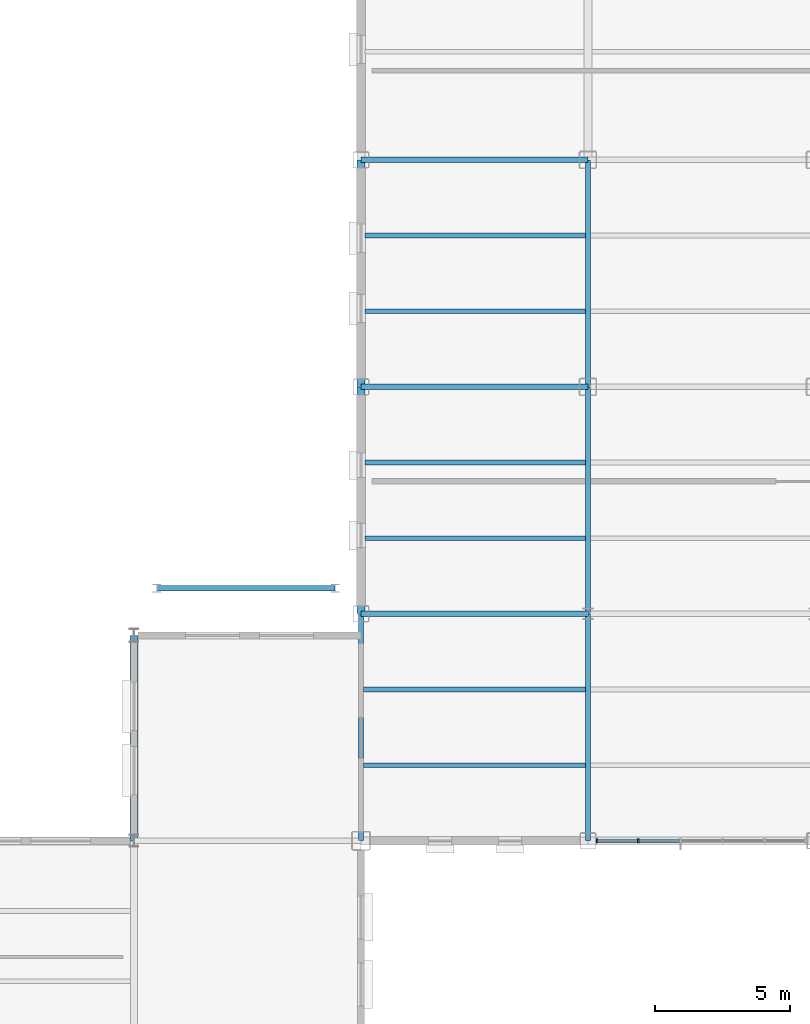
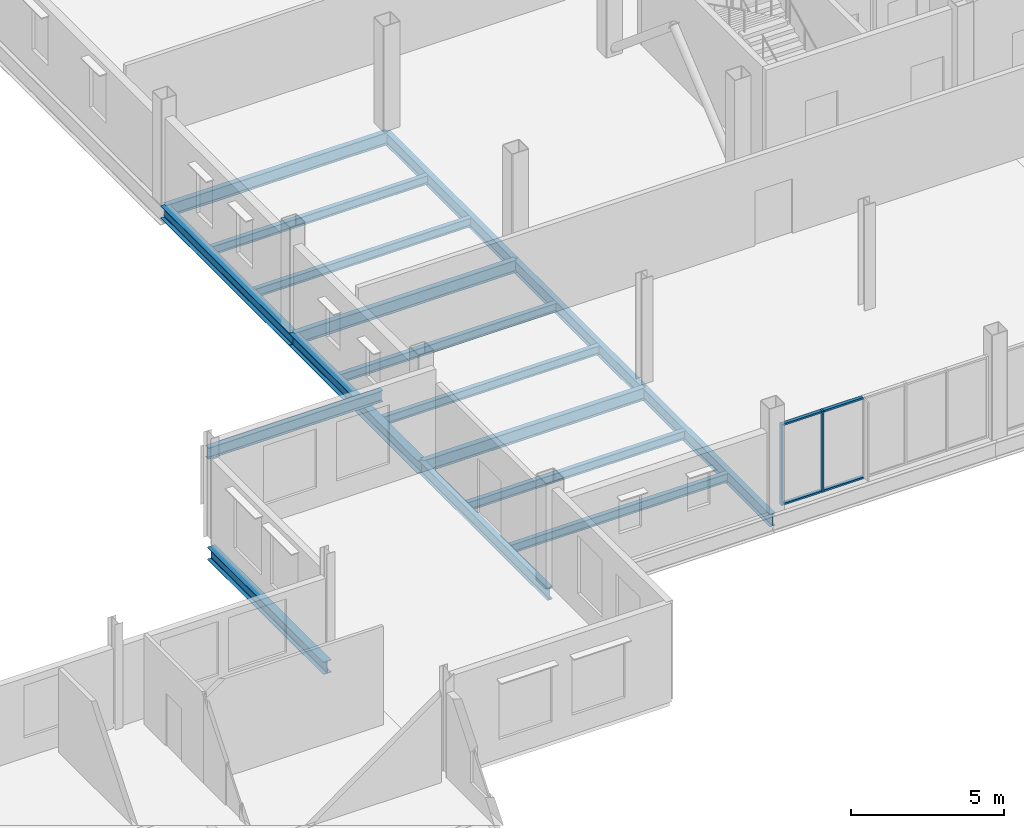
# One storey, part 16 of 45: 17 beams, 6 members, 1 element without a shape of its own.
"""IFC4 building model written with IfcOpenShell, lengths in metres."""

from ifc_helpers import new_model, si_unit, direction, frame, origin, origin_2d, place, context, subcontext, project, spatial, rectangle, i_section, extrude, material, layer, layer_set, material_profile, profile_set, type_object, element, aggregate, save


model = new_model("IFC4")

# Units and contexts
model_context = context("Model", 3, precision=1e-05, world=origin(), true_north=direction((0.0, 1.0)))
body_context = subcontext(model_context, "Body", "Model", "MODEL_VIEW")
ifc_project = project(units=[si_unit("LENGTHUNIT", "METRE"), si_unit("AREAUNIT", "SQUARE_METRE"), si_unit("VOLUMEUNIT", "CUBIC_METRE"), si_unit("PLANEANGLEUNIT", "RADIAN"), si_unit("MASSUNIT", "GRAM", prefix="KILO")], contexts=[model_context])

# Site, building, storey
site_placement = place(None, origin())
site = spatial("IfcSite", under=ifc_project, at=site_placement, CompositionType="ELEMENT")
building_placement = place(site_placement, origin())
building = spatial("IfcBuilding", under=site, at=building_placement, Name="Yukiwa Park Conservatory and Herbarium", CompositionType="ELEMENT")
storey_placement = place(building_placement, frame((0.0, 0.0, 9.0)))
storey = spatial("IfcBuildingStorey", under=building, at=storey_placement, Name="L02", CompositionType="ELEMENT", Elevation=9.0)

# Beams
ifc_material_1 = material(Name="Steel Q355D", Category="steel")
ifc_material_profile_1 = material_profile(ifc_material_1, i_section(OverallWidth=0.199951171875, OverallDepth=0.449951171875, WebThickness=0.009033203125, FlangeThickness=0.013916015625, FilletRadius=0.01806640625, at=origin_2d()), Name="HN 450x200x9x14")
ifc_profile_set_1 = profile_set([ifc_material_profile_1], Name="Steel Q355D")
beam_type_1 = type_object("IfcBeamType", Name="BM-GRD-HN450-EXT", PredefinedType="BEAM", material=ifc_profile_set_1)
beam_1_placement = place(storey_placement, frame((108.85595703125, 87.35009765625, 2.111083984375), z_axis=(1.0, 0.0, 0.0), x_axis=(0.0, 1.0, 0.0)))
element("IfcBeam", 1, at=beam_1_placement, inside=storey, type_object=beam_type_1, Name="Service ramp canopy south header beam", PredefinedType="BEAM", context=body_context, shape_type="SweptSolid", body=[
    extrude(i_section(OverallWidth=0.199951171875, OverallDepth=0.449951171875, WebThickness=0.009033203125, FlangeThickness=0.013916015625, FilletRadius=0.01806640625, at=origin_2d()), origin(), (0.0, 0.0, 1.0), 6.588134765625),
])
ifc_material_2 = material(Name="Steel Q355D", Category="steel")
ifc_material_profile_2 = material_profile(ifc_material_2, i_section(OverallWidth=0.198974609375, OverallDepth=0.49609375, WebThickness=0.009033203125, FlangeThickness=0.013916015625, FilletRadius=0.02001953125, at=origin_2d()), Name="HN 496x199x9x14")
ifc_profile_set_2 = profile_set([ifc_material_profile_2], Name="Steel Q355D")
beam_type_2 = type_object("IfcBeamType", Name="BM-GRD-HN496", PredefinedType="BEAM", material=ifc_profile_set_2)
for number, where, z_axis, x_axis, name in (
    (2, (116.406005859375, 86.39990234375, -0.492919921875), (1.0, 0.0, 0.0), (0.0, 1.0, 0.0), "L02 grid beam X-34"),
    (3, (116.406005859375, 94.800048828125, -0.492919921875), (1.0, 0.0, 0.0), (0.0, 1.0, 0.0), "L02 grid beam X-40"),
    (4, (116.406005859375, 103.199951171875, -0.492919921875), (1.0, 0.0, 0.0), (0.0, 1.0, 0.0), "L02 grid beam X-46"),
):
    element("IfcBeam", number, at=place(storey_placement, frame(where, z_axis=z_axis, x_axis=x_axis)), inside=storey, type_object=beam_type_2, Name=name, PredefinedType="BEAM", context=body_context, shape_type="SweptSolid", body=[
        extrude(i_section(OverallWidth=0.198974609375, OverallDepth=0.49609375, WebThickness=0.009033203125, FlangeThickness=0.013916015625, FilletRadius=0.02001953125, at=origin_2d()), origin(), (0.0, 0.0, 1.0), 8.387939453125),
    ])
ifc_material_3 = material(Name="Steel Q355D", Category="steel")
ifc_material_profile_3 = material_profile(ifc_material_3, i_section(OverallWidth=0.199951171875, OverallDepth=0.5, WebThickness=0.010009765625, FlangeThickness=0.01611328125, FilletRadius=0.02001953125, at=origin_2d()), Name="HN 500x200x10x16")
ifc_profile_set_3 = profile_set([ifc_material_profile_3], Name="Steel Q355D")
beam_type_3 = type_object("IfcBeamType", Name="BM-GRD-HN500", PredefinedType="BEAM", material=ifc_profile_set_3)
for number, where, z_axis, x_axis, name in (
    (5, (116.39990234375, 78.006103515625, -0.4951171875), (0.0, 1.0, 0.0), (-1.0, 0.0, 0.0), "L02 grid girder Y-85"),
    (6, (124.800048828125, 78.006103515625, -0.4951171875), (0.0, 1.0, 0.0), (-1.0, 0.0, 0.0), "L02 grid girder Y-89"),
    (7, (124.800048828125, 86.406005859375, -0.4951171875), (0.0, 1.0, 0.0), (-1.0, 0.0, 0.0), "L02 grid girder Y-90"),
):
    element("IfcBeam", number, at=place(storey_placement, frame(where, z_axis=z_axis, x_axis=x_axis)), inside=storey, type_object=beam_type_3, Name=name, PredefinedType="BEAM", context=body_context, shape_type="SweptSolid", body=[
        extrude(i_section(OverallWidth=0.199951171875, OverallDepth=0.5, WebThickness=0.010009765625, FlangeThickness=0.01611328125, FilletRadius=0.02001953125, at=origin_2d()), origin(), (0.0, 0.0, 1.0), 8.387939453125),
    ])
beam_2_placement = place(storey_placement, frame((124.800048828125, 94.805908203125, -0.4951171875), z_axis=(0.0, 1.0, 0.0), x_axis=(-1.0, 0.0, 0.0)))
element("IfcBeam", 8, at=beam_2_placement, inside=storey, type_object=beam_type_3, Name="L02 grid girder Y-91", PredefinedType="BEAM", context=body_context, shape_type="SweptSolid", body=[
    extrude(i_section(OverallWidth=0.199951171875, OverallDepth=0.5, WebThickness=0.010009765625, FlangeThickness=0.01611328125, FilletRadius=0.02001953125, at=origin_2d()), origin(), (0.0, 0.0, 1.0), 8.38818359375),
])
ifc_material_4 = material(Name="Steel Q355D", Category="steel")
ifc_material_profile_4 = material_profile(ifc_material_4, i_section(OverallWidth=0.174072265625, OverallDepth=0.345947265625, WebThickness=0.006103515625, FlangeThickness=0.009033203125, FilletRadius=0.013916015625, at=origin_2d()), Name="HN 346x174x6x9")
ifc_profile_set_4 = profile_set([ifc_material_profile_4], Name="Steel Q355D")
beam_type_4 = type_object("IfcBeamType", Name="BM-JST-HN346", PredefinedType="JOIST", material=ifc_profile_set_4)
for number, where, z_axis, x_axis, name in (
    (9, (116.49609375, 80.800048828125, -0.41796875), (1.0, 0.0, 0.0), (0.0, 1.0, 0.0), "L02 composite floor joist 37"),
    (10, (116.49609375, 83.60009765625, -0.41796875), (1.0, 0.0, 0.0), (0.0, 1.0, 0.0), "L02 composite floor joist 38"),
):
    element("IfcBeam", number, at=place(storey_placement, frame(where, z_axis=z_axis, x_axis=x_axis)), inside=storey, type_object=beam_type_4, Name=name, PredefinedType="JOIST", context=body_context, shape_type="SweptSolid", body=[
        extrude(i_section(OverallWidth=0.174072265625, OverallDepth=0.345947265625, WebThickness=0.006103515625, FlangeThickness=0.009033203125, FilletRadius=0.013916015625, at=origin_2d()), origin(), (0.0, 0.0, 1.0), 8.2080078125),
    ])
for number, where, z_axis, x_axis, name in (
    (11, (116.5458984375, 89.199951171875, -0.41796875), (1.0, 0.0, 0.0), (0.0, 1.0, 0.0), "L02 composite floor joist 39"),
    (12, (116.5458984375, 92.0, -0.41796875), (1.0, 0.0, 0.0), (0.0, 1.0, 0.0), "L02 composite floor joist 40"),
    (13, (116.5458984375, 97.60009765625, -0.41796875), (1.0, 0.0, 0.0), (0.0, 1.0, 0.0), "L02 composite floor joist 41"),
    (14, (116.5458984375, 100.39990234375, -0.41796875), (1.0, 0.0, 0.0), (0.0, 1.0, 0.0), "L02 composite floor joist 42"),
):
    element("IfcBeam", number, at=place(storey_placement, frame(where, z_axis=z_axis, x_axis=x_axis)), inside=storey, type_object=beam_type_4, Name=name, PredefinedType="JOIST", context=body_context, shape_type="SweptSolid", body=[
        extrude(i_section(OverallWidth=0.174072265625, OverallDepth=0.345947265625, WebThickness=0.006103515625, FlangeThickness=0.009033203125, FilletRadius=0.013916015625, at=origin_2d()), origin(), (0.0, 0.0, 1.0), 8.158203125),
    ])
ifc_material_5 = material(Name="Steel Q355D", Category="steel")
ifc_material_profile_5 = material_profile(ifc_material_5, i_section(OverallWidth=0.300048828125, OverallDepth=0.493896484375, WebThickness=0.010986328125, FlangeThickness=0.014892578125, FilletRadius=0.02392578125, at=origin_2d()), Name="HM 494x300x11x15")
ifc_profile_set_5 = profile_set([ifc_material_profile_5], Name="Steel Q355D")
beam_type_5 = type_object("IfcBeamType", Name="BM-SPN-HN450", PredefinedType="SPANDREL", material=ifc_profile_set_5)
beam_3_placement = place(storey_placement, frame((108.0, 78.006103515625, -0.491943359375), z_axis=(0.0, 1.0, 0.0), x_axis=(-1.0, 0.0, 0.0)))
element("IfcBeam", 15, at=beam_3_placement, inside=storey, type_object=beam_type_5, Name="L02 spandrel girder Y-84", PredefinedType="SPANDREL", context=body_context, shape_type="SweptSolid", body=[
    extrude(i_section(OverallWidth=0.300048828125, OverallDepth=0.493896484375, WebThickness=0.010986328125, FlangeThickness=0.014892578125, FilletRadius=0.02392578125, at=origin_2d()), origin(), (0.0, 0.0, 1.0), 7.587890625),
])
ifc_material_6 = material(Name="Steel Q355D", Category="steel")
ifc_material_profile_6 = material_profile(ifc_material_6, i_section(OverallWidth=0.300048828125, OverallDepth=0.5, WebThickness=0.010986328125, FlangeThickness=0.01806640625, FilletRadius=0.02392578125, at=origin_2d()), Name="HM 500x300x11x18")
ifc_profile_set_6 = profile_set([ifc_material_profile_6], Name="Steel Q355D")
beam_type_6 = type_object("IfcBeamType", Name="BM-SPN-HN500", PredefinedType="SPANDREL", material=ifc_profile_set_6)
beam_4_placement = place(storey_placement, frame((116.39990234375, 86.406005859375, -0.4951171875), z_axis=(0.0, 1.0, 0.0), x_axis=(-1.0, 0.0, 0.0)))
element("IfcBeam", 16, at=beam_4_placement, inside=storey, type_object=beam_type_6, Name="L02 spandrel girder Y-86", PredefinedType="SPANDREL", context=body_context, shape_type="SweptSolid", body=[
    extrude(i_section(OverallWidth=0.300048828125, OverallDepth=0.5, WebThickness=0.010986328125, FlangeThickness=0.01806640625, FilletRadius=0.02392578125, at=origin_2d()), origin(), (0.0, 0.0, 1.0), 8.387939453125),
])
beam_5_placement = place(storey_placement, frame((116.39990234375, 94.805908203125, -0.4951171875), z_axis=(0.0, 1.0, 0.0), x_axis=(-1.0, 0.0, 0.0)))
element("IfcBeam", 17, at=beam_5_placement, inside=storey, type_object=beam_type_6, Name="L02 spandrel girder Y-87", PredefinedType="SPANDREL", context=body_context, shape_type="SweptSolid", body=[
    extrude(i_section(OverallWidth=0.300048828125, OverallDepth=0.5, WebThickness=0.010986328125, FlangeThickness=0.01806640625, FilletRadius=0.02392578125, at=origin_2d()), origin(), (0.0, 0.0, 1.0), 8.38818359375),
])

# Curtain wall, members
ifc_material_7 = material(Name="Triple Low-E Insulated Glass", Category="glass")
ifc_layer = layer(ifc_material_7, 0.199951171875)
ifc_layer_set = layer_set([ifc_layer], Name="Triple Low-E Insulated Glass")
curtain_wall_type = type_object("IfcCurtainWallType", Name="CW-VISITOR-1600", PredefinedType="NOTDEFINED", material=ifc_layer_set)
curtain_wall_placement = place(storey_placement, origin())
curtain_wall = element("IfcCurtainWall", 18, at=curtain_wall_placement, inside=storey, type_object=curtain_wall_type, Name="L02 unitised curtain wall CW-L02-062", PredefinedType="NOTDEFINED")
ifc_material_8 = material(Name="Anodised Aluminium", Category="aluminium")
member_type_1 = type_object("IfcMemberType", Name="MB-CW-MUL-70X150", PredefinedType="MULLION", material=ifc_material_8)
member_1_placement = place(storey_placement, frame((125.135009765625, 78.0, 0.0), z_axis=(0.0, 0.0, 1.0), x_axis=(1.0, 0.0, 0.0)))
member_1 = element("IfcMember", 19, at=member_1_placement, type_object=member_type_1, Name="CW-L02-062 mullion 1", PredefinedType="MULLION", context=body_context, shape_type="SweptSolid", body=[
    extrude(rectangle(XDim=0.070068359375, YDim=0.14990234375, at=origin_2d()), origin(), (0.0, 0.0, 1.0), 3.242919921875),
])
member_2_placement = place(storey_placement, frame((126.659912109375, 78.0, 0.0), z_axis=(0.0, 0.0, 1.0), x_axis=(1.0, 0.0, 0.0)))
member_2 = element("IfcMember", 20, at=member_2_placement, type_object=member_type_1, Name="CW-L02-062 mullion 2", PredefinedType="MULLION", context=body_context, shape_type="SweptSolid", body=[
    extrude(rectangle(XDim=0.070068359375, YDim=0.14990234375, at=origin_2d()), origin(), (0.0, 0.0, 1.0), 3.242919921875),
])
ifc_material_9 = material(Name="Anodised Aluminium", Category="aluminium")
member_type_2 = type_object("IfcMemberType", Name="MB-CW-TRN-70X130", PredefinedType="USERDEFINED", material=ifc_material_9)
member_3_placement = place(storey_placement, frame((125.8798828125, 78.0, 0.0), z_axis=(0.0, 0.0, 1.0), x_axis=(1.0, 0.0, 0.0)))
member_3 = element("IfcMember", 21, at=member_3_placement, type_object=member_type_2, Name="CW-L02-062 transom 1.1", ObjectType="TRANSOM", PredefinedType="USERDEFINED", context=body_context, shape_type="SweptSolid", body=[
    extrude(rectangle(XDim=1.489990234375, YDim=0.1298828125, at=origin_2d()), origin(), (0.0, 0.0, 1.0), 0.070068359375),
])
member_4_placement = place(storey_placement, frame((125.8798828125, 78.0, 3.1728515625), z_axis=(0.0, 0.0, 1.0), x_axis=(1.0, 0.0, 0.0)))
member_4 = element("IfcMember", 22, at=member_4_placement, type_object=member_type_2, Name="CW-L02-062 transom 1.2", ObjectType="TRANSOM", PredefinedType="USERDEFINED", context=body_context, shape_type="SweptSolid", body=[
    extrude(rectangle(XDim=1.489990234375, YDim=0.1298828125, at=origin_2d()), origin(), (0.0, 0.0, 1.0), 0.070068359375),
])
member_5_placement = place(storey_placement, frame((127.43994140625, 78.0, 0.0), z_axis=(0.0, 0.0, 1.0), x_axis=(1.0, 0.0, 0.0)))
member_5 = element("IfcMember", 23, at=member_5_placement, type_object=member_type_2, Name="CW-L02-062 transom 2.1", ObjectType="TRANSOM", PredefinedType="USERDEFINED", context=body_context, shape_type="SweptSolid", body=[
    extrude(rectangle(XDim=1.489990234375, YDim=0.1298828125, at=origin_2d()), origin(), (0.0, 0.0, 1.0), 0.070068359375),
])
member_6_placement = place(storey_placement, frame((127.43994140625, 78.0, 3.1728515625), z_axis=(0.0, 0.0, 1.0), x_axis=(1.0, 0.0, 0.0)))
member_6 = element("IfcMember", 24, at=member_6_placement, type_object=member_type_2, Name="CW-L02-062 transom 2.2", ObjectType="TRANSOM", PredefinedType="USERDEFINED", context=body_context, shape_type="SweptSolid", body=[
    extrude(rectangle(XDim=1.489990234375, YDim=0.1298828125, at=origin_2d()), origin(), (0.0, 0.0, 1.0), 0.070068359375),
])
aggregate(curtain_wall, [member_1, member_2, member_3, member_4, member_5, member_6])

save(model, "model.ifc")
